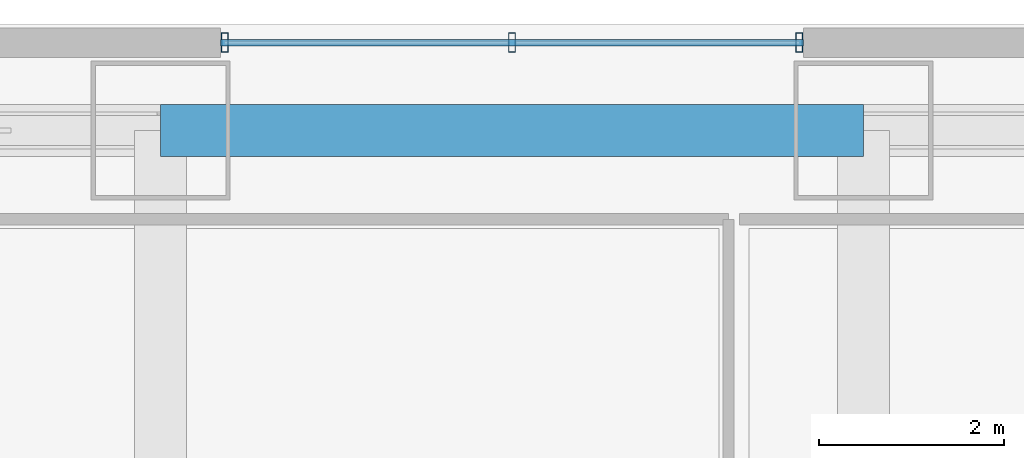
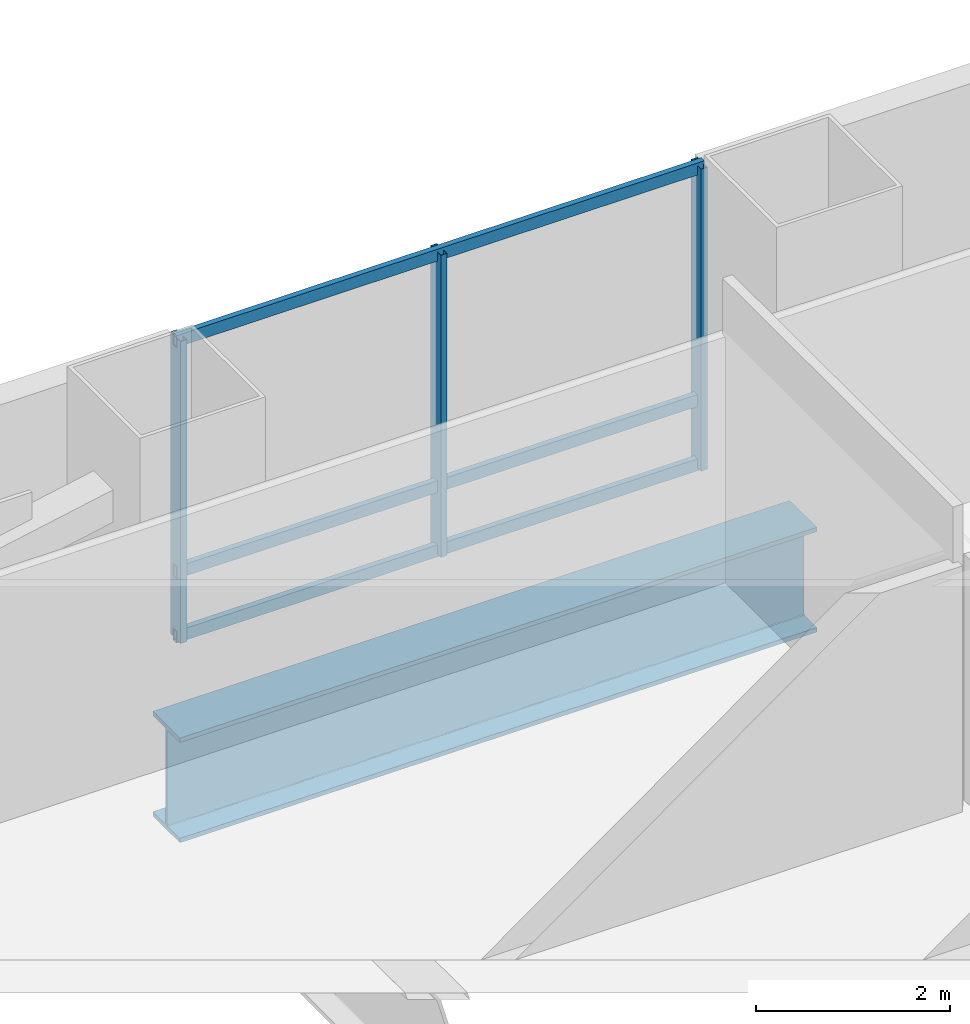
# One storey, part 6 of 27: 6 members, 1 beam, 1 element without a shape of its own.
"""IFC4 building model written with IfcOpenShell, lengths in metres."""

from ifc_helpers import new_model, si_unit, direction, frame, origin, origin_2d, place, context, subcontext, project, spatial, hollow_rectangle, i_section, extrude, material, material_profile, profile_set, type_object, element, aggregate, save


model = new_model("IFC4")

# Units and contexts
model_context = context("Model", 3, precision=1e-05, world=origin(), true_north=direction((0.0, 1.0)))
body_context = subcontext(model_context, "Body", "Model", "MODEL_VIEW")
ifc_project = project(units=[si_unit("LENGTHUNIT", "METRE"), si_unit("AREAUNIT", "SQUARE_METRE"), si_unit("VOLUMEUNIT", "CUBIC_METRE"), si_unit("PLANEANGLEUNIT", "RADIAN"), si_unit("MASSUNIT", "GRAM", prefix="KILO")], contexts=[model_context])

# Site, building, storey
site_placement = place(None, origin())
site = spatial("IfcSite", under=ifc_project, at=site_placement, CompositionType="ELEMENT")
building_placement = place(site_placement, origin())
building = spatial("IfcBuilding", under=site, at=building_placement, Name="Punatoya Terracotta Tower", CompositionType="ELEMENT")
storey_placement = place(building_placement, frame((0.0, 0.0, 60.60009765625)))
storey = spatial("IfcBuildingStorey", under=building, at=storey_placement, Name="L13", CompositionType="ELEMENT", Elevation=60.60009765625)

# Beam
ifc_material_1 = material(Name="Steel S460", Category="steel")
ifc_material_profile_1 = material_profile(ifc_material_1, i_section(OverallWidth=0.56005859375, OverallDepth=1.320068359375, WebThickness=0.035888671875, FlangeThickness=0.054931640625, FilletRadius=0.01806640625, at=origin_2d()))
ifc_profile_set_1 = profile_set([ifc_material_profile_1], Name="Steel S460")
beam_type = type_object("IfcBeamType", Name="BM-TG-BLK", PredefinedType="BEAM", material=ifc_profile_set_1)
beam_placement = place(storey_placement, frame((-3.800048828125, 17.5, -0.940185546875), z_axis=(1.0, 0.0, 0.0), x_axis=(0.0, 1.0, 0.0)))
element("IfcBeam", 1, at=beam_placement, inside=storey, type_object=beam_type, Name="BM-L13-RG-N2", PredefinedType="BEAM", context=body_context, shape_type="SweptSolid", body=[
    extrude(i_section(OverallWidth=0.56005859375, OverallDepth=1.320068359375, WebThickness=0.035888671875, FlangeThickness=0.054931640625, FilletRadius=0.01806640625, at=origin_2d()), origin(), (0.0, 0.0, 1.0), 7.60009765625),
])

# Curtain wall, members
ifc_material_2 = material(Name="Aluminium 6063-T6 + Double Low-E Glass", Category="aluminium")
curtain_wall_type = type_object("IfcCurtainWallType", Name="CW-M1", PredefinedType="NOTDEFINED", material=ifc_material_2)
curtain_wall_placement = place(storey_placement, origin())
curtain_wall = element("IfcCurtainWall", 2, at=curtain_wall_placement, inside=storey, type_object=curtain_wall_type, Name="L13 Curtain Wall CW-L13-N09-1", PredefinedType="NOTDEFINED")
ifc_material_3 = material(Name="Aluminium 6063-T6", Category="aluminium")
ifc_material_profile_2 = material_profile(ifc_material_3, hollow_rectangle(XDim=0.074951171875, YDim=0.2099609375, WallThickness=0.00439453125, at=origin_2d()))
ifc_profile_set_2 = profile_set([ifc_material_profile_2], Name="Aluminium 6063-T6")
member_type_1 = type_object("IfcMemberType", Name="CW-MUL-M1", PredefinedType="MULLION", material=ifc_profile_set_2)
member_1_placement = place(storey_placement, frame((3.10498046875, 18.449951171875, 0.0), z_axis=(0.0, 0.0, 1.0), x_axis=(1.0, 0.0, 0.0)))
member_1 = element("IfcMember", 3, at=member_1_placement, type_object=member_type_1, Name="CW-L13-N09-1 Mullion 00", PredefinedType="MULLION", context=body_context, shape_type="SweptSolid", body=[
    extrude(hollow_rectangle(XDim=0.074951171875, YDim=0.2099609375, WallThickness=0.00439453125, at=origin_2d()), origin(), (0.0, 0.0, 1.0), 3.809814453125),
])
member_2_placement = place(storey_placement, frame((0.0, 18.449951171875, 0.0), z_axis=(0.0, 0.0, 1.0), x_axis=(1.0, 0.0, 0.0)))
member_2 = element("IfcMember", 4, at=member_2_placement, type_object=member_type_1, Name="CW-L13-N09-1 Mullion 01", PredefinedType="MULLION", context=body_context, shape_type="SweptSolid", body=[
    extrude(hollow_rectangle(XDim=0.074951171875, YDim=0.2099609375, WallThickness=0.00439453125, at=origin_2d()), origin(), (0.0, 0.0, 1.0), 3.809814453125),
])
member_3_placement = place(storey_placement, frame((-3.10498046875, 18.449951171875, 0.0), z_axis=(0.0, 0.0, 1.0), x_axis=(1.0, 0.0, 0.0)))
member_3 = element("IfcMember", 5, at=member_3_placement, type_object=member_type_1, Name="CW-L13-N09-1 Mullion 02", PredefinedType="MULLION", context=body_context, shape_type="SweptSolid", body=[
    extrude(hollow_rectangle(XDim=0.074951171875, YDim=0.2099609375, WallThickness=0.00439453125, at=origin_2d()), origin(), (0.0, 0.0, 1.0), 3.809814453125),
])
ifc_material_profile_3 = material_profile(ifc_material_3, hollow_rectangle(XDim=0.068115234375, YDim=0.14990234375, WallThickness=0.00390625, at=origin_2d()))
ifc_profile_set_3 = profile_set([ifc_material_profile_3], Name="Aluminium 6063-T6")
member_type_2 = type_object("IfcMemberType", Name="CW-TRN-TYP", PredefinedType="USERDEFINED", material=ifc_profile_set_3)
member_4_placement = place(storey_placement, frame((3.14990234375, 18.449951171875, 0.039794921875), z_axis=(-1.0, 0.0, 0.0), x_axis=(0.0, -1.0, 0.0)))
member_4 = element("IfcMember", 6, at=member_4_placement, type_object=member_type_2, Name="CW-L13-N09-1 Transom 1", ObjectType="TRANSOM", PredefinedType="USERDEFINED", context=body_context, shape_type="SweptSolid", body=[
    extrude(hollow_rectangle(XDim=0.068115234375, YDim=0.14990234375, WallThickness=0.00390625, at=origin_2d()), origin(), (0.0, 0.0, 1.0), 6.2998046875),
])
member_5_placement = place(storey_placement, frame((3.14990234375, 18.449951171875, 0.849853515625), z_axis=(-1.0, 0.0, 0.0), x_axis=(0.0, -1.0, 0.0)))
member_5 = element("IfcMember", 7, at=member_5_placement, type_object=member_type_2, Name="CW-L13-N09-1 Transom 2", ObjectType="TRANSOM", PredefinedType="USERDEFINED", context=body_context, shape_type="SweptSolid", body=[
    extrude(hollow_rectangle(XDim=0.068115234375, YDim=0.14990234375, WallThickness=0.00390625, at=origin_2d()), origin(), (0.0, 0.0, 1.0), 6.2998046875),
])
member_6_placement = place(storey_placement, frame((3.14990234375, 18.449951171875, 3.77001953125), z_axis=(-1.0, 0.0, 0.0), x_axis=(0.0, -1.0, 0.0)))
member_6 = element("IfcMember", 8, at=member_6_placement, type_object=member_type_2, Name="CW-L13-N09-1 Transom 3", ObjectType="TRANSOM", PredefinedType="USERDEFINED", context=body_context, shape_type="SweptSolid", body=[
    extrude(hollow_rectangle(XDim=0.068115234375, YDim=0.14990234375, WallThickness=0.00390625, at=origin_2d()), origin(), (0.0, 0.0, 1.0), 6.2998046875),
])
aggregate(curtain_wall, [member_1, member_2, member_3, member_4, member_5, member_6])

save(model, "model.ifc")
